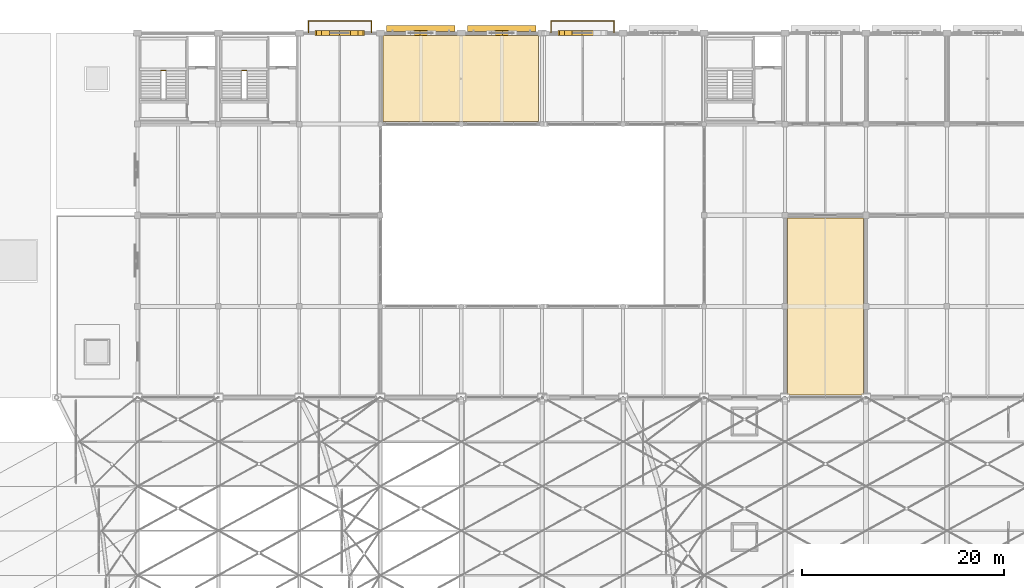
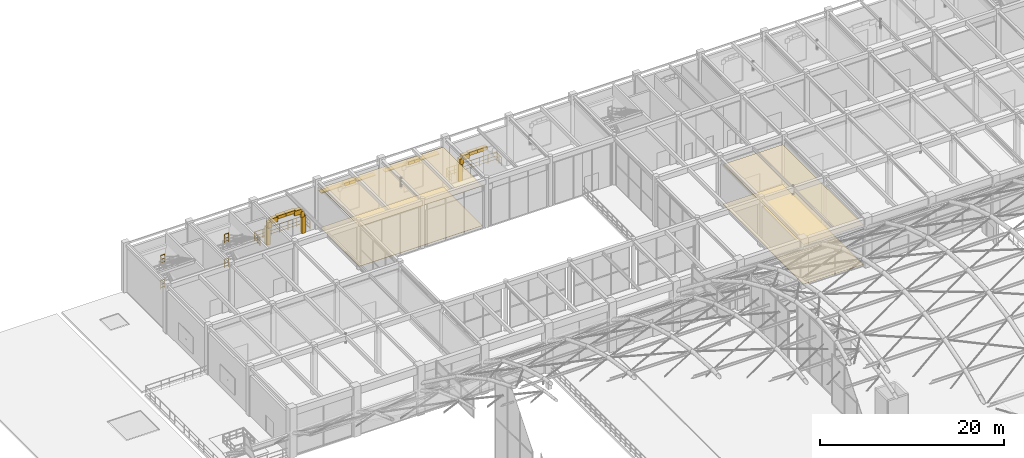
# One storey, part 159 of 163: 21 coverings, 6 railings, 2 shading devices.
"""IFC4 building model written with IfcOpenShell, lengths in metres."""

from ifc_helpers import new_model, si_unit, direction, frame, origin, origin_2d, place, context, subcontext, project, spatial, polyline, rectangle, circle, outline, extrude, material, layer, layer_set, type_object, element, save


model = new_model("IFC4")

# Units and contexts
model_context = context("Model", 3, precision=1e-05, world=origin(), true_north=direction((0.0, 1.0)))
body_context = subcontext(model_context, "Body", "Model", "MODEL_VIEW")
ifc_project = project(units=[si_unit("LENGTHUNIT", "METRE"), si_unit("AREAUNIT", "SQUARE_METRE"), si_unit("VOLUMEUNIT", "CUBIC_METRE"), si_unit("PLANEANGLEUNIT", "RADIAN"), si_unit("MASSUNIT", "GRAM", prefix="KILO")], contexts=[model_context])

# Site, building, storey
site_placement = place(None, origin())
site = spatial("IfcSite", under=ifc_project, at=site_placement, CompositionType="ELEMENT")
building_placement = place(site_placement, origin())
building = spatial("IfcBuilding", under=site, at=building_placement, Name="Varnabhumi Central Station", CompositionType="ELEMENT")
storey_placement = place(building_placement, frame((0.0, 0.0, 9.60009765625)))
storey = spatial("IfcBuildingStorey", under=building, at=storey_placement, Name="L02", CompositionType="ELEMENT", Elevation=9.60009765625)

# Coverings
ifc_material_1 = material(Name="Mineral-fibre acoustic tile")
ifc_layer_1 = layer(ifc_material_1, 0.02490234375, Name="Mineral-fibre acoustic tile")
ifc_layer_set_1 = layer_set([ifc_layer_1], Name="Mineral-fibre acoustic tile")
covering_type_1 = type_object("IfcCoveringType", Name="COV-CEIL-ACOUSTIC", PredefinedType="CEILING", material=ifc_layer_set_1)
covering_1_placement = place(storey_placement, frame((0.0, 0.0, 5.27001953125)))
element("IfcCovering", 1, at=covering_1_placement, inside=storey, type_object=covering_type_1, Name="Ladies' Waiting Lounge Acoustic Ceiling", PredefinedType="CEILING", context=body_context, shape_type="SweptSolid", body=[
    extrude(outline(polyline([(48.25, 107.25), (63.64990234375, 107.25), (63.64990234375, 115.75), (48.25, 115.75), (48.25, 107.25)])), origin(), (0.0, 0.0, 1.0), 0.02490234375),
])
covering_2_placement = place(storey_placement, frame((0.0, 0.0, 5.27001953125)))
element("IfcCovering", 2, at=covering_2_placement, inside=storey, type_object=covering_type_1, Name="Rail Tourism Information Suite Acoustic Ceiling", PredefinedType="CEILING", context=body_context, shape_type="SweptSolid", body=[
    extrude(outline(polyline([(88.25, 80.25), (95.75, 80.25), (95.75, 97.75), (88.25, 97.75), (88.25, 80.25)])), origin(), (0.0, 0.0, 1.0), 0.02490234375),
])
ifc_material_2 = material(Name="Vitrified granite stone flooring", Category="masonry")
ifc_layer_2 = layer(ifc_material_2, 0.030029296875, Name="Vitrified granite stone flooring", Category="masonry")
ifc_layer_set_2 = layer_set([ifc_layer_2], Name="Vitrified granite stone flooring")
covering_type_2 = type_object("IfcCoveringType", Name="COV-FLOR-GRANITE", PredefinedType="FLOORING", material=ifc_layer_set_2)
covering_3_placement = place(storey_placement, origin())
element("IfcCovering", 3, at=covering_3_placement, inside=storey, type_object=covering_type_2, Name="Ladies' Waiting Lounge Granite Flooring", PredefinedType="FLOORING", context=body_context, shape_type="SweptSolid", body=[
    extrude(outline(polyline([(48.25, 107.25), (63.64990234375, 107.25), (63.64990234375, 115.75), (48.25, 115.75), (48.25, 107.25)])), origin(), (0.0, 0.0, 1.0), 0.02978515625),
])
covering_4_placement = place(storey_placement, origin())
element("IfcCovering", 4, at=covering_4_placement, inside=storey, type_object=covering_type_2, Name="Rail Tourism Information Suite Granite Flooring", PredefinedType="FLOORING", context=body_context, shape_type="SweptSolid", body=[
    extrude(outline(polyline([(88.25, 80.25), (95.75, 80.25), (95.75, 97.75), (88.25, 97.75), (88.25, 80.25)])), origin(), (0.0, 0.0, 1.0), 0.02978515625),
])
ifc_material_3 = material(Name="Terracotta clay Mission barrel tile", Category="masonry")
ifc_layer_3 = layer(ifc_material_3, 0.02001953125, Name="Terracotta clay Mission barrel tile", Category="masonry")
ifc_layer_set_3 = layer_set([ifc_layer_3], Name="Terracotta clay Mission barrel tile")
covering_type_3 = type_object("IfcCoveringType", Name="COV-WALL-FAIENCE", PredefinedType="CLADDING", material=ifc_layer_set_3)
covering_5_placement = place(storey_placement, frame((41.947509765625, 116.0, 2.159912109375), z_axis=(0.0, 0.0, 1.0), x_axis=(1.0, 0.0, 0.0)))
element("IfcCovering", 5, at=covering_5_placement, inside=storey, type_object=covering_type_3, Name="Balcony Arch Portal L02-3 Stone Voussoir 1", PredefinedType="CLADDING", context=body_context, shape_type="SweptSolid", body=[
    extrude(rectangle(XDim=0.469970703125, YDim=0.47998046875, at=origin_2d()), origin(), (0.0, 0.0, 1.0), 0.7548828125),
])
covering_6_placement = place(storey_placement, frame((42.49755859375, 116.0, 2.635009765625), z_axis=(0.0, 0.0, 1.0), x_axis=(1.0, 0.0, 0.0)))
element("IfcCovering", 6, at=covering_6_placement, inside=storey, type_object=covering_type_3, Name="Balcony Arch Portal L02-3 Stone Voussoir 2", PredefinedType="CLADDING", context=body_context, shape_type="SweptSolid", body=[
    extrude(rectangle(XDim=0.925048828125, YDim=0.47998046875, at=origin_2d()), origin(), (0.0, 0.0, 1.0), 0.6279296875),
])
for number, where, z_axis, x_axis, name in (
    (7, (43.449951171875, 116.0, 2.98291015625), (0.0, 0.0, 1.0), (1.0, 0.0, 0.0), "Balcony Arch Portal L02-3 Stone Voussoir 3"),
    (8, (44.550048828125, 116.0, 2.98291015625), (0.0, 0.0, 1.0), (1.0, 0.0, 0.0), "Balcony Arch Portal L02-3 Stone Voussoir 4"),
):
    element("IfcCovering", number, at=place(storey_placement, frame(where, z_axis=z_axis, x_axis=x_axis)), inside=storey, type_object=covering_type_3, Name=name, PredefinedType="CLADDING", context=body_context, shape_type="SweptSolid", body=[
        extrude(rectangle(XDim=1.219970703125, YDim=0.47998046875, at=origin_2d()), origin(), (0.0, 0.0, 1.0), 0.406982421875),
    ])
covering_7_placement = place(storey_placement, frame((45.50244140625, 116.0, 2.635009765625), z_axis=(0.0, 0.0, 1.0), x_axis=(1.0, 0.0, 0.0)))
element("IfcCovering", 9, at=covering_7_placement, inside=storey, type_object=covering_type_3, Name="Balcony Arch Portal L02-3 Stone Voussoir 5", PredefinedType="CLADDING", context=body_context, shape_type="SweptSolid", body=[
    extrude(rectangle(XDim=0.925048828125, YDim=0.47998046875, at=origin_2d()), origin(), (0.0, 0.0, 1.0), 0.6279296875),
])
covering_8_placement = place(storey_placement, frame((46.052490234375, 116.0, 2.159912109375), z_axis=(0.0, 0.0, 1.0), x_axis=(1.0, 0.0, 0.0)))
element("IfcCovering", 10, at=covering_8_placement, inside=storey, type_object=covering_type_3, Name="Balcony Arch Portal L02-3 Stone Voussoir 6", PredefinedType="CLADDING", context=body_context, shape_type="SweptSolid", body=[
    extrude(rectangle(XDim=0.469970703125, YDim=0.47998046875, at=origin_2d()), origin(), (0.0, 0.0, 1.0), 0.7548828125),
])
for number, where, z_axis, x_axis, name in (
    (11, (41.800048828125, 116.0, -0.02001953125), (0.0, 0.0, 1.0), (1.0, 0.0, 0.0), "Balcony Arch Portal L02-3 Classical Pilaster 1"),
    (12, (46.199951171875, 116.0, -0.02001953125), (0.0, 0.0, 1.0), (1.0, 0.0, 0.0), "Balcony Arch Portal L02-3 Classical Pilaster 2"),
):
    element("IfcCovering", number, at=place(storey_placement, frame(where, z_axis=z_axis, x_axis=x_axis)), inside=storey, type_object=covering_type_3, Name=name, PredefinedType="CLADDING", context=body_context, shape_type="SweptSolid", body=[
        extrude(rectangle(XDim=0.47998046875, YDim=0.47998046875, at=origin_2d()), origin(), (0.0, 0.0, 1.0), 2.340087890625),
    ])
for number, where, z_axis, x_axis, name in (
    (13, (51.66259765625, 116.0, 4.4228515625), (0.0, 0.0, 1.0), (1.0, 0.0, 0.0), "North Window Arch L02-4 Stone Voussoir 3"),
    (14, (52.33740234375, 116.0, 4.4228515625), (0.0, 0.0, 1.0), (1.0, 0.0, 0.0), "North Window Arch L02-4 Stone Voussoir 4"),
    (15, (59.66259765625, 116.0, 4.4228515625), (0.0, 0.0, 1.0), (1.0, 0.0, 0.0), "North Window Arch L02-5 Stone Voussoir 3"),
    (16, (60.33740234375, 116.0, 4.4228515625), (0.0, 0.0, 1.0), (1.0, 0.0, 0.0), "North Window Arch L02-5 Stone Voussoir 4"),
):
    element("IfcCovering", number, at=place(storey_placement, frame(where, z_axis=z_axis, x_axis=x_axis)), inside=storey, type_object=covering_type_3, Name=name, PredefinedType="CLADDING", context=body_context, shape_type="SweptSolid", body=[
        extrude(rectangle(XDim=0.794921875, YDim=0.47998046875, at=origin_2d()), origin(), (0.0, 0.0, 1.0), 0.3798828125),
    ])
covering_9_placement = place(storey_placement, frame((65.947509765625, 116.0, 2.159912109375), z_axis=(0.0, 0.0, 1.0), x_axis=(1.0, 0.0, 0.0)))
element("IfcCovering", 17, at=covering_9_placement, inside=storey, type_object=covering_type_3, Name="Balcony Arch Portal L02-6 Stone Voussoir 1", PredefinedType="CLADDING", context=body_context, shape_type="SweptSolid", body=[
    extrude(rectangle(XDim=0.469970703125, YDim=0.47998046875, at=origin_2d()), origin(), (0.0, 0.0, 1.0), 0.7548828125),
])
covering_10_placement = place(storey_placement, frame((66.49755859375, 116.0, 2.635009765625), z_axis=(0.0, 0.0, 1.0), x_axis=(1.0, 0.0, 0.0)))
element("IfcCovering", 18, at=covering_10_placement, inside=storey, type_object=covering_type_3, Name="Balcony Arch Portal L02-6 Stone Voussoir 2", PredefinedType="CLADDING", context=body_context, shape_type="SweptSolid", body=[
    extrude(rectangle(XDim=0.925048828125, YDim=0.47998046875, at=origin_2d()), origin(), (0.0, 0.0, 1.0), 0.6279296875),
])
for number, where, z_axis, x_axis, name in (
    (19, (67.449951171875, 116.0, 2.98291015625), (0.0, 0.0, 1.0), (1.0, 0.0, 0.0), "Balcony Arch Portal L02-6 Stone Voussoir 3"),
    (20, (68.550048828125, 116.0, 2.98291015625), (0.0, 0.0, 1.0), (1.0, 0.0, 0.0), "Balcony Arch Portal L02-6 Stone Voussoir 4"),
):
    element("IfcCovering", number, at=place(storey_placement, frame(where, z_axis=z_axis, x_axis=x_axis)), inside=storey, type_object=covering_type_3, Name=name, PredefinedType="CLADDING", context=body_context, shape_type="SweptSolid", body=[
        extrude(rectangle(XDim=1.219970703125, YDim=0.47998046875, at=origin_2d()), origin(), (0.0, 0.0, 1.0), 0.406982421875),
    ])
covering_11_placement = place(storey_placement, frame((65.800048828125, 116.0, -0.02001953125), z_axis=(0.0, 0.0, 1.0), x_axis=(1.0, 0.0, 0.0)))
element("IfcCovering", 21, at=covering_11_placement, inside=storey, type_object=covering_type_3, Name="Balcony Arch Portal L02-6 Classical Pilaster 1", PredefinedType="CLADDING", context=body_context, shape_type="SweptSolid", body=[
    extrude(rectangle(XDim=0.47998046875, YDim=0.47998046875, at=origin_2d()), origin(), (0.0, 0.0, 1.0), 2.340087890625),
])

# Railings
ifc_material_4 = material(Name="Stainless steel Grade 316", Category="steel")
railing_type_1 = type_object("IfcRailingType", Name="RAIL-BALUST-1150", PredefinedType="BALUSTRADE", material=ifc_material_4)
railing_1_placement = place(storey_placement, frame((40.8798828125, 116.050048828125, 0.0)))
element("IfcRailing", 22, at=railing_1_placement, inside=storey, type_object=railing_type_1, Name="Azotea Perimeter Balustrade L02-9", PredefinedType="BALUSTRADE", context=body_context, shape_type="SweptSolid", body=[
    extrude(circle(Radius=0.02392578125, at=origin_2d()), frame((0.0, 0.0, 1.1259765625), z_axis=(0.0, 1.0, 0.0), x_axis=(-1.0, 0.0, 0.0)), (0.0, 0.0, 1.0), 1.169921875),
    extrude(circle(Radius=0.01416015625, at=origin_2d()), frame((0.0, 0.0, 0.597900390625), z_axis=(0.0, 1.0, 0.0), x_axis=(-1.0, 0.0, 0.0)), (0.0, 0.0, 1.0), 1.169921875),
    extrude(circle(Radius=0.01416015625, at=origin_2d()), frame((0.0, 0.0, 0.18408203125), z_axis=(0.0, 1.0, 0.0), x_axis=(-1.0, 0.0, 0.0)), (0.0, 0.0, 1.0), 1.169921875),
    extrude(circle(Radius=0.02392578125, at=origin_2d()), frame((0.0, 1.169921875, 1.1259765625), z_axis=(1.0, 0.0, 0.0), x_axis=(0.0, 1.0, 0.0)), (0.0, 0.0, 1.0), 6.240234375),
    extrude(circle(Radius=0.01416015625, at=origin_2d()), frame((0.0, 1.169921875, 0.597900390625), z_axis=(1.0, 0.0, 0.0), x_axis=(0.0, 1.0, 0.0)), (0.0, 0.0, 1.0), 6.240234375),
    extrude(circle(Radius=0.01416015625, at=origin_2d()), frame((0.0, 1.169921875, 0.18408203125), z_axis=(1.0, 0.0, 0.0), x_axis=(0.0, 1.0, 0.0)), (0.0, 0.0, 1.0), 6.240234375),
    extrude(circle(Radius=0.02392578125, at=origin_2d()), frame((6.240234375, 1.169921875, 1.1259765625), z_axis=(0.0, -1.0, 0.0), x_axis=(1.0, 0.0, 0.0)), (0.0, 0.0, 1.0), 1.169921875),
    extrude(circle(Radius=0.01416015625, at=origin_2d()), frame((6.240234375, 1.169921875, 0.597900390625), z_axis=(0.0, -1.0, 0.0), x_axis=(1.0, 0.0, 0.0)), (0.0, 0.0, 1.0), 1.169921875),
    extrude(circle(Radius=0.01416015625, at=origin_2d()), frame((6.240234375, 1.169921875, 0.18408203125), z_axis=(0.0, -1.0, 0.0), x_axis=(1.0, 0.0, 0.0)), (0.0, 0.0, 1.0), 1.169921875),
    extrude(circle(Radius=0.02099609375, at=origin_2d()), origin(), (0.0, 0.0, 1.0), 1.101806640625),
    extrude(circle(Radius=0.02099609375, at=origin_2d()), frame((0.0, 0.5849609375, 0.0)), (0.0, 0.0, 1.0), 1.101806640625),
    extrude(circle(Radius=0.02099609375, at=origin_2d()), frame((0.0, 1.169921875, 0.0)), (0.0, 0.0, 1.0), 1.101806640625),
    extrude(circle(Radius=0.02099609375, at=origin_2d()), frame((1.0400390625, 1.169921875, 0.0)), (0.0, 0.0, 1.0), 1.101806640625),
    extrude(circle(Radius=0.02099609375, at=origin_2d()), frame((2.080078125, 1.169921875, 0.0)), (0.0, 0.0, 1.0), 1.101806640625),
    extrude(circle(Radius=0.02099609375, at=origin_2d()), frame((3.1201171875, 1.169921875, 0.0)), (0.0, 0.0, 1.0), 1.101806640625),
    extrude(circle(Radius=0.02099609375, at=origin_2d()), frame((4.16015625, 1.169921875, 0.0)), (0.0, 0.0, 1.0), 1.101806640625),
    extrude(circle(Radius=0.02099609375, at=origin_2d()), frame((5.2001953125, 1.169921875, 0.0)), (0.0, 0.0, 1.0), 1.101806640625),
    extrude(circle(Radius=0.02099609375, at=origin_2d()), frame((6.240234375, 1.169921875, 0.0)), (0.0, 0.0, 1.0), 1.101806640625),
    extrude(circle(Radius=0.02099609375, at=origin_2d()), frame((6.240234375, 0.5849609375, 0.0)), (0.0, 0.0, 1.0), 1.101806640625),
    extrude(circle(Radius=0.02099609375, at=origin_2d()), frame((6.240234375, 0.0, 0.0)), (0.0, 0.0, 1.0), 1.101806640625),
])
railing_2_placement = place(storey_placement, frame((64.8798828125, 116.050048828125, 0.0)))
element("IfcRailing", 23, at=railing_2_placement, inside=storey, type_object=railing_type_1, Name="Azotea Perimeter Balustrade L02-10", PredefinedType="BALUSTRADE", context=body_context, shape_type="SweptSolid", body=[
    extrude(circle(Radius=0.02392578125, at=origin_2d()), frame((0.0, 0.0, 1.1259765625), z_axis=(0.0, 1.0, 0.0), x_axis=(-1.0, 0.0, 0.0)), (0.0, 0.0, 1.0), 1.169921875),
    extrude(circle(Radius=0.01416015625, at=origin_2d()), frame((0.0, 0.0, 0.597900390625), z_axis=(0.0, 1.0, 0.0), x_axis=(-1.0, 0.0, 0.0)), (0.0, 0.0, 1.0), 1.169921875),
    extrude(circle(Radius=0.01416015625, at=origin_2d()), frame((0.0, 0.0, 0.18408203125), z_axis=(0.0, 1.0, 0.0), x_axis=(-1.0, 0.0, 0.0)), (0.0, 0.0, 1.0), 1.169921875),
    extrude(circle(Radius=0.02392578125, at=origin_2d()), frame((0.0, 1.169921875, 1.1259765625), z_axis=(1.0, 0.0, 0.0), x_axis=(0.0, 1.0, 0.0)), (0.0, 0.0, 1.0), 6.240234375),
    extrude(circle(Radius=0.01416015625, at=origin_2d()), frame((0.0, 1.169921875, 0.597900390625), z_axis=(1.0, 0.0, 0.0), x_axis=(0.0, 1.0, 0.0)), (0.0, 0.0, 1.0), 6.240234375),
    extrude(circle(Radius=0.01416015625, at=origin_2d()), frame((0.0, 1.169921875, 0.18408203125), z_axis=(1.0, 0.0, 0.0), x_axis=(0.0, 1.0, 0.0)), (0.0, 0.0, 1.0), 6.240234375),
    extrude(circle(Radius=0.02392578125, at=origin_2d()), frame((6.240234375, 1.169921875, 1.1259765625), z_axis=(0.0, -1.0, 0.0), x_axis=(1.0, 0.0, 0.0)), (0.0, 0.0, 1.0), 1.169921875),
    extrude(circle(Radius=0.01416015625, at=origin_2d()), frame((6.240234375, 1.169921875, 0.597900390625), z_axis=(0.0, -1.0, 0.0), x_axis=(1.0, 0.0, 0.0)), (0.0, 0.0, 1.0), 1.169921875),
    extrude(circle(Radius=0.01416015625, at=origin_2d()), frame((6.240234375, 1.169921875, 0.18408203125), z_axis=(0.0, -1.0, 0.0), x_axis=(1.0, 0.0, 0.0)), (0.0, 0.0, 1.0), 1.169921875),
    extrude(circle(Radius=0.02099609375, at=origin_2d()), origin(), (0.0, 0.0, 1.0), 1.101806640625),
    extrude(circle(Radius=0.02099609375, at=origin_2d()), frame((0.0, 0.5849609375, 0.0)), (0.0, 0.0, 1.0), 1.101806640625),
    extrude(circle(Radius=0.02099609375, at=origin_2d()), frame((0.0, 1.169921875, 0.0)), (0.0, 0.0, 1.0), 1.101806640625),
    extrude(circle(Radius=0.02099609375, at=origin_2d()), frame((1.0400390625, 1.169921875, 0.0)), (0.0, 0.0, 1.0), 1.101806640625),
    extrude(circle(Radius=0.02099609375, at=origin_2d()), frame((2.080078125, 1.169921875, 0.0)), (0.0, 0.0, 1.0), 1.101806640625),
    extrude(circle(Radius=0.02099609375, at=origin_2d()), frame((3.1201171875, 1.169921875, 0.0)), (0.0, 0.0, 1.0), 1.101806640625),
    extrude(circle(Radius=0.02099609375, at=origin_2d()), frame((4.16015625, 1.169921875, 0.0)), (0.0, 0.0, 1.0), 1.101806640625),
    extrude(circle(Radius=0.02099609375, at=origin_2d()), frame((5.2001953125, 1.169921875, 0.0)), (0.0, 0.0, 1.0), 1.101806640625),
    extrude(circle(Radius=0.02099609375, at=origin_2d()), frame((6.240234375, 1.169921875, 0.0)), (0.0, 0.0, 1.0), 1.101806640625),
    extrude(circle(Radius=0.02099609375, at=origin_2d()), frame((6.240234375, 0.5849609375, 0.0)), (0.0, 0.0, 1.0), 1.101806640625),
    extrude(circle(Radius=0.02099609375, at=origin_2d()), frame((6.240234375, 0.0, 0.0)), (0.0, 0.0, 1.0), 1.101806640625),
])
railing_type_2 = type_object("IfcRailingType", Name="RAIL-STAIR-GRD-1150", PredefinedType="GUARDRAIL", material=ifc_material_4)
for number, where, name in (
    (24, (26.300048828125, 112.330078125, 1.64990234375), "ST-N1 L02 Landing Guard 1"),
    (25, (26.300048828125, 112.330078125, 4.949951171875), "ST-N1 L02 Landing Guard 3"),
    (26, (34.300048828125, 112.330078125, 1.64990234375), "ST-N4 L02 Landing Guard 1"),
    (27, (34.300048828125, 112.330078125, 4.949951171875), "ST-N4 L02 Landing Guard 3"),
):
    element("IfcRailing", number, at=place(storey_placement, frame(where)), inside=storey, type_object=railing_type_2, Name=name, PredefinedType="GUARDRAIL", context=body_context, shape_type="SweptSolid", body=[
        extrude(circle(Radius=0.02392578125, at=origin_2d()), frame((0.0, 0.0, 1.1259765625), z_axis=(1.0, 0.0, 0.0), x_axis=(0.0, 1.0, 0.0)), (0.0, 0.0, 1.0), 0.5),
        extrude(circle(Radius=0.01416015625, at=origin_2d()), frame((0.0, 0.0, 0.597900390625), z_axis=(1.0, 0.0, 0.0), x_axis=(0.0, 1.0, 0.0)), (0.0, 0.0, 1.0), 0.5),
        extrude(circle(Radius=0.01416015625, at=origin_2d()), frame((0.0, 0.0, 0.18408203125), z_axis=(1.0, 0.0, 0.0), x_axis=(0.0, 1.0, 0.0)), (0.0, 0.0, 1.0), 0.5),
        extrude(circle(Radius=0.02099609375, at=origin_2d()), origin(), (0.0, 0.0, 1.0), 1.101806640625),
        extrude(circle(Radius=0.02099609375, at=origin_2d()), frame((0.5, 0.0, 0.0)), (0.0, 0.0, 1.0), 1.101806640625),
    ])

# Shading devices
ifc_material_5 = material(Name="Precast concrete M45", Category="concrete")
ifc_layer_4 = layer(ifc_material_5, 0.10009765625, Name="Precast concrete M45", Category="concrete")
ifc_layer_set_4 = layer_set([ifc_layer_4], Name="Precast concrete M45")
shading_device_type = type_object("IfcShadingDeviceType", Name="SHD-CHAJJA-600", PredefinedType="AWNING", material=ifc_layer_set_4)
for number, where, z_axis, x_axis, name in (
    (28, (52.0, 116.449951171875, 4.1298828125), (0.0, 0.0, 1.0), (1.0, 0.0, 0.0), "Chajja Overhang N-L02-4"),
    (29, (60.0, 116.449951171875, 4.1298828125), (0.0, 0.0, 1.0), (1.0, 0.0, 0.0), "Chajja Overhang N-L02-5"),
):
    element("IfcShadingDevice", number, at=place(storey_placement, frame(where, z_axis=z_axis, x_axis=x_axis)), inside=storey, type_object=shading_device_type, Name=name, PredefinedType="AWNING", context=body_context, shape_type="SweptSolid", body=[
        extrude(rectangle(XDim=6.800048828125, YDim=0.60009765625, at=origin_2d()), origin(), (0.0, 0.0, 1.0), 0.10009765625),
    ])

save(model, "model.ifc")
